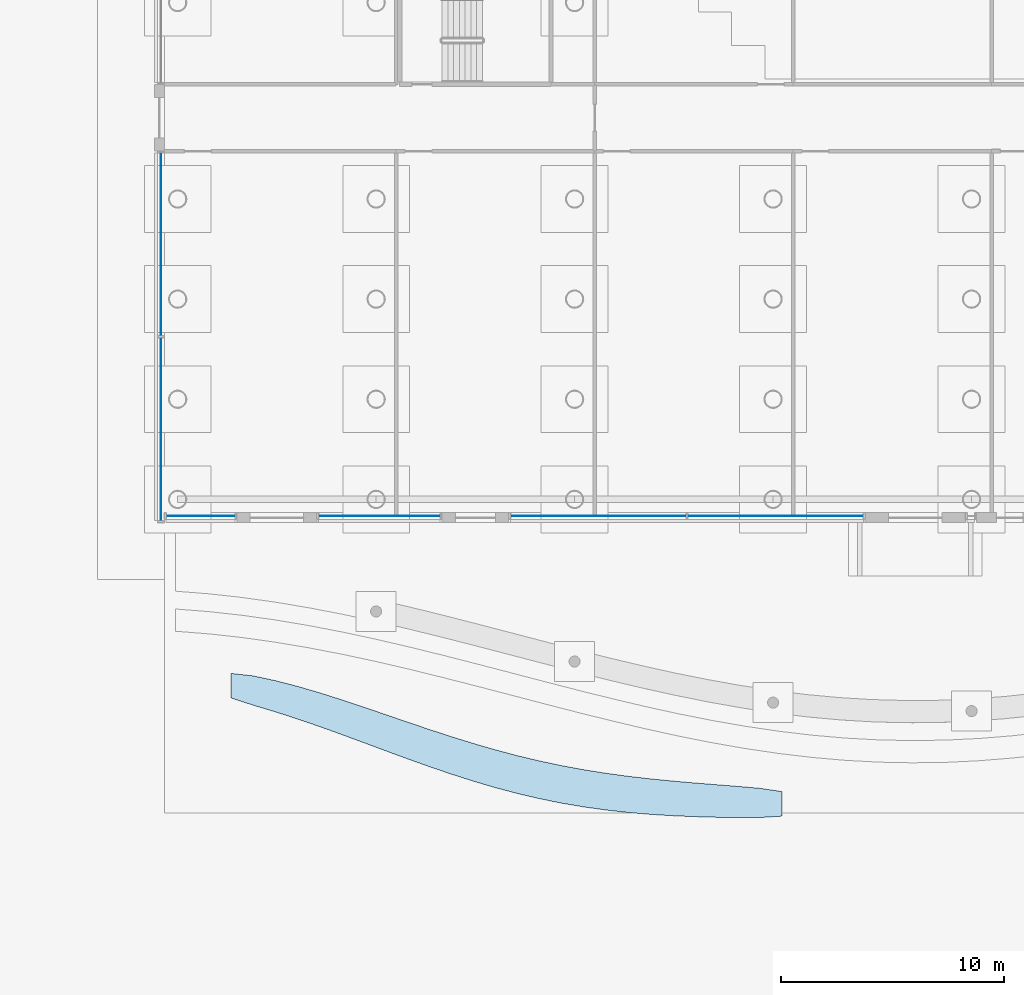
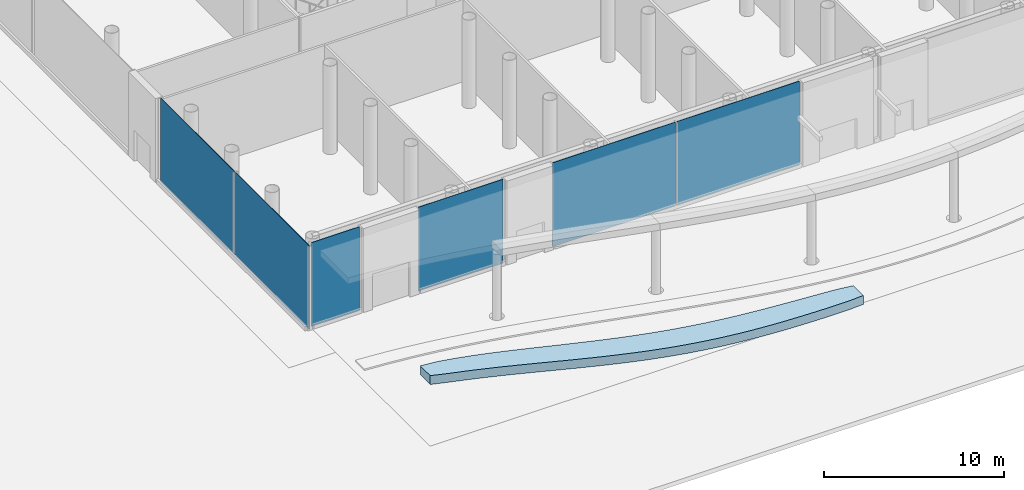
# One storey, part 18 of 75: 6 plates, 1 slab, 4 elements without a shape of their own.
"""IFC4 building model written with IfcOpenShell, lengths in metres."""

from ifc_helpers import new_model, si_unit, direction, frame, origin, origin_2d, place, context, subcontext, project, spatial, polyline, rectangle, outline, extrude, material, layer, layer_set, type_object, element, aggregate, save


model = new_model("IFC4")

# Units and contexts
model_context = context("Model", 3, precision=1e-05, world=origin(), true_north=direction((0.0, 1.0)))
body_context = subcontext(model_context, "Body", "Model", "MODEL_VIEW")
ifc_project = project(units=[si_unit("LENGTHUNIT", "METRE"), si_unit("AREAUNIT", "SQUARE_METRE"), si_unit("VOLUMEUNIT", "CUBIC_METRE"), si_unit("PLANEANGLEUNIT", "RADIAN"), si_unit("MASSUNIT", "GRAM", prefix="KILO")], contexts=[model_context])

# Site, building, storey
site_placement = place(None, origin())
site = spatial("IfcSite", under=ifc_project, at=site_placement, CompositionType="ELEMENT")
building_placement = place(site_placement, origin())
building = spatial("IfcBuilding", under=site, at=building_placement, Name="Ipe Terrace Towers", CompositionType="ELEMENT")
storey_placement = place(building_placement, origin())
storey = spatial("IfcBuildingStorey", under=building, at=storey_placement, Name="L00", CompositionType="ELEMENT", Elevation=0.0)

# Slab
ifc_material_1 = material(Name="Concrete C30/37", Category="concrete")
ifc_layer_1 = layer(ifc_material_1, 0.60009765625)
ifc_layer_set_1 = layer_set([ifc_layer_1], Name="CURVED PLANTING RIBBON 600")
slab_type = type_object("IfcSlabType", Name="CURVED PLANTING RIBBON 600", PredefinedType="USERDEFINED", material=ifc_layer_set_1)
slab_placement = place(storey_placement, origin())
element("IfcSlab", 1, at=slab_placement, inside=storey, type_object=slab_type, Name="curved planting ribbon", ObjectType="PLANTER", PredefinedType="USERDEFINED", context=body_context, shape_type="SweptSolid", body=[
    extrude(outline(polyline([(-66.75, -49.971923828125), (-65.760009765625, -50.0830078125), (-64.77001953125, -50.2939453125), (-63.780029296875, -50.549072265625), (-62.7900390625, -50.8369140625), (-61.800048828125, -51.14990234375), (-60.81005859375, -51.47900390625), (-59.820068359375, -51.81689453125), (-58.830078125, -52.156005859375), (-57.840087890625, -52.490966796875), (-56.85009765625, -52.81396484375), (-55.860107421875, -53.12109375), (-54.8701171875, -53.406982421875), (-53.8798828125, -53.669921875), (-52.889892578125, -53.906005859375), (-51.89990234375, -54.115966796875), (-50.909912109375, -54.299072265625), (-49.919921875, -54.45703125), (-48.929931640625, -54.592041015625), (-47.93994140625, -54.7060546875), (-46.949951171875, -54.804931640625), (-45.9599609375, -54.89111328125), (-44.969970703125, -54.969970703125), (-43.97998046875, -55.048095703125), (-42.989990234375, -55.134033203125), (-42.0, -55.281982421875), (-42.0, -56.386962890625), (-42.989990234375, -56.449951171875), (-43.97998046875, -56.449951171875), (-44.969970703125, -56.43603515625), (-45.9599609375, -56.408935546875), (-46.949951171875, -56.365966796875), (-47.93994140625, -56.303955078125), (-48.929931640625, -56.218994140625), (-49.919921875, -56.10888671875), (-50.909912109375, -55.969970703125), (-51.89990234375, -55.801025390625), (-52.889892578125, -55.60107421875), (-53.8798828125, -55.368896484375), (-54.8701171875, -55.10693359375), (-55.860107421875, -54.81591796875), (-56.85009765625, -54.4990234375), (-57.840087890625, -54.162109375), (-58.830078125, -53.80810546875), (-59.820068359375, -53.444091796875), (-60.81005859375, -53.075927734375), (-61.800048828125, -52.7109375), (-62.7900390625, -52.35498046875), (-63.780029296875, -52.014892578125), (-64.77001953125, -51.696044921875), (-65.760009765625, -51.39794921875), (-66.75, -51.076904296875), (-66.75, -49.971923828125)])), origin(), (0.0, 0.0, 1.0), 0.60009765625),
])

# Curtain wall, plates
ifc_material_2 = material(Name="Aluminium alloy 6063-T6", Category="aluminium")
ifc_layer_2 = layer(ifc_material_2, 0.43994140625)
ifc_layer_set_2 = layer_set([ifc_layer_2], Name="PODIUM GLAZING CURTAIN WALL")
curtain_wall_type = type_object("IfcCurtainWallType", Name="PODIUM GLAZING CURTAIN WALL", PredefinedType="NOTDEFINED", material=ifc_layer_set_2)
curtain_wall_1_placement = place(storey_placement, origin())
curtain_wall_1 = element("IfcCurtainWall", 2, at=curtain_wall_1_placement, inside=storey, type_object=curtain_wall_type, Name="POD-CW-L00-02g curtain wall", PredefinedType="NOTDEFINED")
ifc_material_3 = material(Name="Glass, clear laminated", Category="glass")
ifc_layer_3 = layer(ifc_material_3, 0.035888671875)
ifc_layer_set_3 = layer_set([ifc_layer_3], Name="PODIUM GLAZING GLASS PANEL 36")
plate_type = type_object("IfcPlateType", Name="PODIUM GLAZING GLASS PANEL 36", PredefinedType="CURTAIN_PANEL", material=ifc_layer_set_3)
plate_1_placement = place(storey_placement, frame((-69.89990234375, -30.6923828125, 0.0), z_axis=(0.0, 0.0, 1.0), x_axis=(0.0, -1.0, 0.0)))
plate_1 = element("IfcPlate", 3, at=plate_1_placement, type_object=plate_type, Name="POD-CW-L00-02g panel 1", PredefinedType="CURTAIN_PANEL", context=body_context, shape_type="SweptSolid", body=[
    extrude(rectangle(XDim=8.22509765625, YDim=0.035888671875, at=origin_2d()), origin(), (0.0, 0.0, 1.0), 5.699951171875),
])
plate_2_placement = place(storey_placement, frame((-69.89990234375, -38.99755859375, 0.0), z_axis=(0.0, 0.0, 1.0), x_axis=(0.0, -1.0, 0.0)))
plate_2 = element("IfcPlate", 4, at=plate_2_placement, type_object=plate_type, Name="POD-CW-L00-02g panel 2", PredefinedType="CURTAIN_PANEL", context=body_context, shape_type="SweptSolid", body=[
    extrude(rectangle(XDim=8.22509765625, YDim=0.035888671875, at=origin_2d()), origin(), (0.0, 0.0, 1.0), 5.699951171875),
])
aggregate(curtain_wall_1, [plate_1, plate_2])

# Curtain wall, plate
curtain_wall_2_placement = place(storey_placement, origin())
curtain_wall_2 = element("IfcCurtainWall", 5, at=curtain_wall_2_placement, inside=storey, type_object=curtain_wall_type, Name="POD-CW-L00-03a curtain wall", PredefinedType="NOTDEFINED")
plate_3_placement = place(storey_placement, frame((-68.1201171875, -42.89990234375, 0.0), z_axis=(0.0, 0.0, 1.0), x_axis=(1.0, 0.0, 0.0)))
plate_3 = element("IfcPlate", 6, at=plate_3_placement, type_object=plate_type, Name="POD-CW-L00-03a panel 1", PredefinedType="CURTAIN_PANEL", context=body_context, shape_type="SweptSolid", body=[
    extrude(rectangle(XDim=3.10009765625, YDim=0.035888671875, at=origin_2d()), origin(), (0.0, 0.0, 1.0), 5.699951171875),
])
aggregate(curtain_wall_2, [plate_3])

curtain_wall_3_placement = place(storey_placement, origin())
curtain_wall_3 = element("IfcCurtainWall", 7, at=curtain_wall_3_placement, inside=storey, type_object=curtain_wall_type, Name="POD-CW-L00-03c curtain wall", PredefinedType="NOTDEFINED")
plate_4_placement = place(storey_placement, frame((-60.080078125, -42.89990234375, 0.0), z_axis=(0.0, 0.0, 1.0), x_axis=(1.0, 0.0, 0.0)))
plate_4 = element("IfcPlate", 8, at=plate_4_placement, type_object=plate_type, Name="POD-CW-L00-03c panel 1", PredefinedType="CURTAIN_PANEL", context=body_context, shape_type="SweptSolid", body=[
    extrude(rectangle(XDim=5.4599609375, YDim=0.035888671875, at=origin_2d()), origin(), (0.0, 0.0, 1.0), 5.699951171875),
])
aggregate(curtain_wall_3, [plate_4])

# Curtain wall, plates
curtain_wall_4_placement = place(storey_placement, origin())
curtain_wall_4 = element("IfcCurtainWall", 9, at=curtain_wall_4_placement, inside=storey, type_object=curtain_wall_type, Name="POD-CW-L00-03e curtain wall", PredefinedType="NOTDEFINED")
plate_5_placement = place(storey_placement, frame((-50.2451171875, -42.89990234375, 0.0), z_axis=(0.0, 0.0, 1.0), x_axis=(1.0, 0.0, 0.0)))
plate_5 = element("IfcPlate", 10, at=plate_5_placement, type_object=plate_type, Name="POD-CW-L00-03e panel 1", PredefinedType="CURTAIN_PANEL", context=body_context, shape_type="SweptSolid", body=[
    extrude(rectangle(XDim=7.889892578125, YDim=0.035888671875, at=origin_2d()), origin(), (0.0, 0.0, 1.0), 5.699951171875),
])
plate_6_placement = place(storey_placement, frame((-42.27490234375, -42.89990234375, 0.0), z_axis=(0.0, 0.0, 1.0), x_axis=(1.0, 0.0, 0.0)))
plate_6 = element("IfcPlate", 11, at=plate_6_placement, type_object=plate_type, Name="POD-CW-L00-03e panel 2", PredefinedType="CURTAIN_PANEL", context=body_context, shape_type="SweptSolid", body=[
    extrude(rectangle(XDim=7.889892578125, YDim=0.035888671875, at=origin_2d()), origin(), (0.0, 0.0, 1.0), 5.699951171875),
])
aggregate(curtain_wall_4, [plate_5, plate_6])

save(model, "model.ifc")
